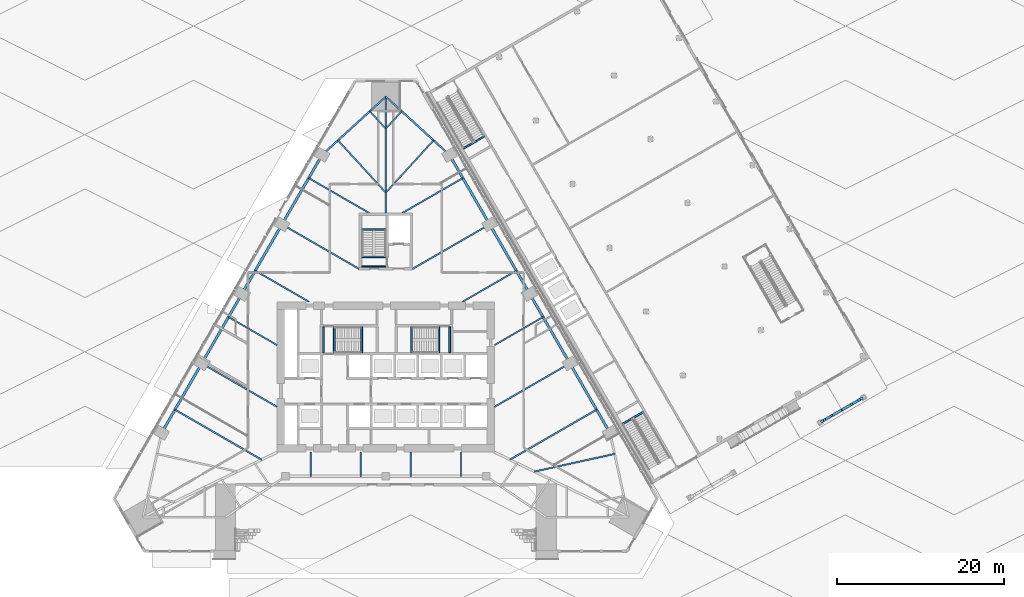
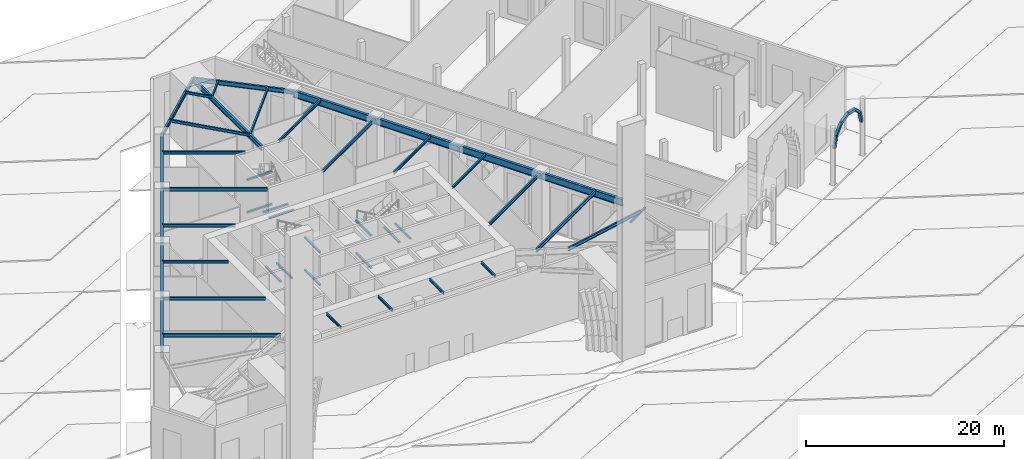
# One storey, part 5 of 34: 42 beams, 6 members.
"""IFC4 building model written with IfcOpenShell, lengths in metres."""

from ifc_helpers import new_model, si_unit, direction, frame, origin, origin_2d, place, context, subcontext, project, spatial, rectangle, i_section, extrude, material, material_profile, profile_set, type_object, element, save


model = new_model("IFC4")

# Units and contexts
model_context = context("Model", 3, precision=1e-05, world=origin(), true_north=direction((0.0, 1.0)))
body_context = subcontext(model_context, "Body", "Model", "MODEL_VIEW")
ifc_project = project(units=[si_unit("LENGTHUNIT", "METRE"), si_unit("AREAUNIT", "SQUARE_METRE"), si_unit("VOLUMEUNIT", "CUBIC_METRE"), si_unit("PLANEANGLEUNIT", "RADIAN"), si_unit("MASSUNIT", "GRAM", prefix="KILO")], contexts=[model_context])

# Site, building, storey
site_placement = place(None, origin())
site = spatial("IfcSite", under=ifc_project, at=site_placement, CompositionType="ELEMENT")
building_placement = place(site_placement, origin())
building = spatial("IfcBuilding", under=site, at=building_placement, Name="Firuza Gate Tower and Library", CompositionType="ELEMENT")
storey_placement = place(building_placement, origin())
storey = spatial("IfcBuildingStorey", under=building, at=storey_placement, Name="L00", CompositionType="ELEMENT", Elevation=0.0)

# Members
ifc_material_1 = material(Name="Concrete C40/50", Category="concrete")
ifc_material_profile_1 = material_profile(ifc_material_1, rectangle(XDim=0.300048828125, YDim=0.300048828125, at=origin_2d()))
ifc_profile_set_1 = profile_set([ifc_material_profile_1], Name="Concrete C40/50")
member_type = type_object("IfcMemberType", Name="LIB ARCADE ARCH 300", PredefinedType="USERDEFINED", material=ifc_profile_set_1)
for number, where, z_axis, x_axis, name in (
    (1, (127.18603515625, 69.680419921875, 4.199951171875), (0.229302579248, 0.132296635942, 0.964322522432), (-0.499741403371, 0.866174653149, 0.0), "Arcade arch 2.1"),
    (2, (127.508056640625, 69.8662109375, 5.55419921875), (0.623626266203, 0.360058543994, 0.693864630169), (-0.500008073096, 0.86602074273, 0.0), "Arcade arch 2.2"),
    (3, (128.3837890625, 70.371826171875, 6.528564453125), (0.842988374049, 0.486774066269, 0.228957659027), (-0.50005739987, 0.865992261418, 0.0), "Arcade arch 2.3"),
    (4, (129.567626953125, 71.055419921875, 6.85009765625), (0.843059707951, 0.486641394629, -0.228977033486), (-0.499923448233, 0.866069596457, 0.0), "Arcade arch 2.4"),
    (5, (130.75146484375, 71.73876953125, 6.528564453125), (0.623626266203, 0.360058543994, -0.693864630169), (-0.500008073096, 0.86602074273, 0.0), "Arcade arch 2.5"),
    (6, (131.627197265625, 72.244384765625, 5.55419921875), (0.229297302186, 0.132467433105, -0.964300329968), (-0.500233848448, 0.865890349217, 0.0), "Arcade arch 2.6"),
):
    element("IfcMember", number, at=place(storey_placement, frame(where, z_axis=z_axis, x_axis=x_axis)), inside=storey, type_object=member_type, Name=name, ObjectType="ARCADE ARCH", PredefinedType="USERDEFINED", context=body_context, shape_type="SweptSolid", body=[
        extrude(rectangle(XDim=0.300048828125, YDim=0.300048828125, at=origin_2d()), origin(), (0.0, 0.0, 1.0), 1.404296875),
    ])

# Beams
ifc_material_2 = material(Name="Concrete C40/50", Category="concrete")
ifc_material_profile_2 = material_profile(ifc_material_2, rectangle(XDim=0.199951171875, YDim=0.199951171875, at=origin_2d()))
ifc_profile_set_2 = profile_set([ifc_material_profile_2], Name="Concrete C40/50")
beam_type_1 = type_object("IfcBeamType", Name="LIB LANDING BEARER 200X200", PredefinedType="BEAM", material=ifc_profile_set_2)
for number, where, z_axis, x_axis, name in (
    (7, (84.259521484375, 102.331298828125, 3.699951171875), (0.866003658127, 0.500037662692, 0.0), (-0.500037662692, 0.866003658127, 0.0), "LIB-ST-A landing bearer L00"),
    (8, (105.854248046875, 70.828125, 3.699951171875), (-0.866060182126, -0.499939757307, 0.0), (0.499939757307, -0.866060182126, 0.0), "LIB-ST-B landing bearer L00"),
):
    element("IfcBeam", number, at=place(storey_placement, frame(where, z_axis=z_axis, x_axis=x_axis)), inside=storey, type_object=beam_type_1, Name=name, PredefinedType="BEAM", context=body_context, shape_type="SweptSolid", body=[
        extrude(rectangle(XDim=0.199951171875, YDim=0.199951171875, at=origin_2d()), origin(), (0.0, 0.0, 1.0), 2.949951171875),
    ])
ifc_material_3 = material(Name="Concrete C35/45", Category="concrete")
ifc_material_profile_3 = material_profile(ifc_material_3, rectangle(XDim=0.199951171875, YDim=0.199951171875, at=origin_2d()))
ifc_profile_set_3 = profile_set([ifc_material_profile_3], Name="Concrete C35/45")
beam_type_2 = type_object("IfcBeamType", Name="Stair landing bearer 200x200", PredefinedType="BEAM", material=ifc_profile_set_3)
for number, where, z_axis, x_axis, name in (
    (9, (72.1201171875, 77.89990234375, 1.699951171875), (0.0, 1.0, 0.0), (-1.0, 0.0, 0.0), "Landing bearer L00 stair 1"),
    (10, (68.840087890625, 77.89990234375, 3.699951171875), (0.0, 1.0, 0.0), (-1.0, 0.0, 0.0), "Landing bearer L00 stair 1"),
    (11, (67.550048828125, 77.89990234375, 3.699951171875), (0.0, 1.0, 0.0), (-1.0, 0.0, 0.0), "Landing bearer L00 stair 1"),
    (12, (72.1201171875, 77.89990234375, 5.699951171875), (0.0, 1.0, 0.0), (-1.0, 0.0, 0.0), "Landing bearer L00 stair 1"),
    (13, (78.080078125, 80.97998046875, 1.699951171875), (0.0, -1.0, 0.0), (1.0, 0.0, 0.0), "Landing bearer L00 stair 2"),
    (14, (81.360107421875, 80.97998046875, 3.699951171875), (0.0, -1.0, 0.0), (1.0, 0.0, 0.0), "Landing bearer L00 stair 2"),
    (15, (82.64990234375, 80.97998046875, 3.699951171875), (0.0, -1.0, 0.0), (1.0, 0.0, 0.0), "Landing bearer L00 stair 2"),
    (16, (78.080078125, 80.97998046875, 5.699951171875), (0.0, -1.0, 0.0), (1.0, 0.0, 0.0), "Landing bearer L00 stair 2"),
):
    element("IfcBeam", number, at=place(storey_placement, frame(where, z_axis=z_axis, x_axis=x_axis)), inside=storey, type_object=beam_type_2, Name=name, PredefinedType="BEAM", context=body_context, shape_type="SweptSolid", body=[
        extrude(rectangle(XDim=0.199951171875, YDim=0.199951171875, at=origin_2d()), origin(), (0.0, 0.0, 1.0), 3.080078125),
    ])
for number, where, z_axis, x_axis, name in (
    (17, (75.0, 92.64990234375, 1.699951171875), (-1.0, 0.0, 0.0), (0.0, -1.0, 0.0), "Landing bearer L00 stair 3"),
    (18, (75.0, 89.3701171875, 3.699951171875), (-1.0, 0.0, 0.0), (0.0, -1.0, 0.0), "Landing bearer L00 stair 3"),
    (19, (75.0, 88.199951171875, 3.699951171875), (-1.0, 0.0, 0.0), (0.0, -1.0, 0.0), "Landing bearer L00 stair 3"),
    (20, (75.0, 92.64990234375, 5.699951171875), (-1.0, 0.0, 0.0), (0.0, -1.0, 0.0), "Landing bearer L00 stair 3"),
):
    element("IfcBeam", number, at=place(storey_placement, frame(where, z_axis=z_axis, x_axis=x_axis)), inside=storey, type_object=beam_type_2, Name=name, PredefinedType="BEAM", context=body_context, shape_type="SweptSolid", body=[
        extrude(rectangle(XDim=0.199951171875, YDim=0.199951171875, at=origin_2d()), origin(), (0.0, 0.0, 1.0), 2.89990234375),
    ])
ifc_material_4 = material(Name="Steel S355", Category="steel")
ifc_material_profile_4 = material_profile(ifc_material_4, i_section(OverallWidth=0.1650390625, OverallDepth=0.31005859375, WebThickness=0.005859375, FlangeThickness=0.009765625, at=origin_2d()))
ifc_profile_set_4 = profile_set([ifc_material_profile_4], Name="Steel S355")
beam_type_3 = type_object("IfcBeamType", Name="W310x39 Floor beam", PredefinedType="JOIST", material=ifc_profile_set_4)
for number, where, z_axis, x_axis, name in (
    (21, (66.0, 63.115478515625, 7.544921875), (0.0, 1.0, 0.0), (-1.0, 0.0, 0.0), "Floor beam L00 s30"),
    (22, (72.0, 63.115478515625, 7.544921875), (0.0, 1.0, 0.0), (-1.0, 0.0, 0.0), "Floor beam L00 s31"),
    (23, (78.0, 63.115478515625, 7.544921875), (0.0, 1.0, 0.0), (-1.0, 0.0, 0.0), "Floor beam L00 s32"),
    (24, (84.0, 63.115478515625, 7.544921875), (0.0, 1.0, 0.0), (-1.0, 0.0, 0.0), "Floor beam L00 s33"),
):
    element("IfcBeam", number, at=place(storey_placement, frame(where, z_axis=z_axis, x_axis=x_axis)), inside=storey, type_object=beam_type_3, Name=name, PredefinedType="JOIST", context=body_context, shape_type="SweptSolid", body=[
        extrude(i_section(OverallWidth=0.1650390625, OverallDepth=0.31005859375, WebThickness=0.005859375, FlangeThickness=0.009765625, at=origin_2d()), origin(), (0.0, 0.0, 1.0), 2.884521484375),
    ])
beam_1_placement = place(storey_placement, frame((93.820556640625, 82.171142578125, 7.544921875), z_axis=(-0.866019234261, -0.500010685776, 0.0), x_axis=(0.500010685776, -0.866019234261, 0.0)))
element("IfcBeam", 25, at=beam_1_placement, inside=storey, type_object=beam_type_3, Name="Floor beam L00 s72", PredefinedType="JOIST", context=body_context, shape_type="SweptSolid", body=[
    extrude(i_section(OverallWidth=0.1650390625, OverallDepth=0.31005859375, WebThickness=0.005859375, FlangeThickness=0.009765625, at=origin_2d()), origin(), (0.0, 0.0, 1.0), 6.720947265625),
])
for number, where, z_axis, x_axis, name in (
    (26, (76.905029296875, 106.79296875, 7.544921875), (-0.674533736892, -0.738244023203, 0.0), (0.738244023203, -0.674533736892, 0.0), "Floor beam L00 s81"),
    (27, (73.094970703125, 106.79296875, 7.544921875), (0.674533736892, -0.738244023203, 0.0), (0.738244023203, 0.674533736892, 0.0), "Floor beam L00 s90"),
):
    element("IfcBeam", number, at=place(storey_placement, frame(where, z_axis=z_axis, x_axis=x_axis)), inside=storey, type_object=beam_type_3, Name=name, PredefinedType="JOIST", context=body_context, shape_type="SweptSolid", body=[
        extrude(i_section(OverallWidth=0.1650390625, OverallDepth=0.31005859375, WebThickness=0.005859375, FlangeThickness=0.009765625, at=origin_2d()), origin(), (0.0, 0.0, 1.0), 2.82421875),
    ])
beam_2_placement = place(storey_placement, frame((56.179443359375, 82.171142578125, 7.544921875), z_axis=(0.866019234261, -0.500010685776, 0.0), x_axis=(0.500010685776, 0.866019234261, 0.0)))
element("IfcBeam", 28, at=beam_2_placement, inside=storey, type_object=beam_type_3, Name="Floor beam L00 s103", PredefinedType="JOIST", context=body_context, shape_type="SweptSolid", body=[
    extrude(i_section(OverallWidth=0.1650390625, OverallDepth=0.31005859375, WebThickness=0.005859375, FlangeThickness=0.009765625, at=origin_2d()), origin(), (0.0, 0.0, 1.0), 6.720947265625),
])
ifc_material_5 = material(Name="Steel S355", Category="steel")
ifc_material_profile_5 = material_profile(ifc_material_5, i_section(OverallWidth=0.1708984375, OverallDepth=0.35498046875, WebThickness=0.007080078125, FlangeThickness=0.01171875, at=origin_2d()))
ifc_profile_set_5 = profile_set([ifc_material_profile_5], Name="Steel S355")
beam_type_4 = type_object("IfcBeamType", Name="W360x51 Floor beam", PredefinedType="JOIST", material=ifc_profile_set_5)
beam_3_placement = place(storey_placement, frame((90.62060546875, 87.713623046875, 7.5224609375), z_axis=(-0.866023556141, -0.500003200199, 0.0), x_axis=(0.500003200199, -0.866023556141, 0.0)))
element("IfcBeam", 29, at=beam_3_placement, inside=storey, type_object=beam_type_4, Name="Floor beam L00 s73", PredefinedType="JOIST", context=body_context, shape_type="SweptSolid", body=[
    extrude(i_section(OverallWidth=0.1708984375, OverallDepth=0.35498046875, WebThickness=0.007080078125, FlangeThickness=0.01171875, at=origin_2d()), origin(), (0.0, 0.0, 1.0), 7.42724609375),
])
beam_4_placement = place(storey_placement, frame((84.220458984375, 98.798828125, 7.5224609375), z_axis=(-0.866019517829, -0.500010194636, 0.0), x_axis=(0.500010194636, -0.866019517829, 0.0)))
element("IfcBeam", 30, at=beam_4_placement, inside=storey, type_object=beam_type_4, Name="Floor beam L00 s75", PredefinedType="JOIST", context=body_context, shape_type="SweptSolid", body=[
    extrude(i_section(OverallWidth=0.1708984375, OverallDepth=0.35498046875, WebThickness=0.007080078125, FlangeThickness=0.01171875, at=origin_2d()), origin(), (0.0, 0.0, 1.0), 8.397216796875),
])
for number, where, z_axis, x_axis, name in (
    (31, (80.71533203125, 103.31103515625, 7.5224609375), (-0.674578139258, -0.7382034503, 0.0), (0.7382034503, -0.674578139258, 0.0), "Floor beam L00 s80"),
    (32, (69.28466796875, 103.31103515625, 7.5224609375), (0.674578139258, -0.7382034503, 0.0), (0.7382034503, 0.674578139258, 0.0), "Floor beam L00 s91"),
):
    element("IfcBeam", number, at=place(storey_placement, frame(where, z_axis=z_axis, x_axis=x_axis)), inside=storey, type_object=beam_type_4, Name=name, PredefinedType="JOIST", context=body_context, shape_type="SweptSolid", body=[
        extrude(i_section(OverallWidth=0.1708984375, OverallDepth=0.35498046875, WebThickness=0.007080078125, FlangeThickness=0.01171875, at=origin_2d()), origin(), (0.0, 0.0, 1.0), 8.472412109375),
    ])
beam_5_placement = place(storey_placement, frame((65.779541015625, 98.798828125, 7.5224609375), z_axis=(0.866019517829, -0.500010194636, 0.0), x_axis=(0.500010194636, 0.866019517829, 0.0)))
element("IfcBeam", 33, at=beam_5_placement, inside=storey, type_object=beam_type_4, Name="Floor beam L00 s100", PredefinedType="JOIST", context=body_context, shape_type="SweptSolid", body=[
    extrude(i_section(OverallWidth=0.1708984375, OverallDepth=0.35498046875, WebThickness=0.007080078125, FlangeThickness=0.01171875, at=origin_2d()), origin(), (0.0, 0.0, 1.0), 8.397216796875),
])
beam_6_placement = place(storey_placement, frame((59.37939453125, 87.713623046875, 7.5224609375), z_axis=(0.866023556141, -0.500003200199, 0.0), x_axis=(0.500003200199, 0.866023556141, 0.0)))
element("IfcBeam", 34, at=beam_6_placement, inside=storey, type_object=beam_type_4, Name="Floor beam L00 s102", PredefinedType="JOIST", context=body_context, shape_type="SweptSolid", body=[
    extrude(i_section(OverallWidth=0.1708984375, OverallDepth=0.35498046875, WebThickness=0.007080078125, FlangeThickness=0.01171875, at=origin_2d()), origin(), (0.0, 0.0, 1.0), 7.42724609375),
])
ifc_material_6 = material(Name="Steel S355", Category="steel")
ifc_material_profile_6 = material_profile(ifc_material_6, i_section(OverallWidth=0.177978515625, OverallDepth=0.406982421875, WebThickness=0.0078125, FlangeThickness=0.0126953125, at=origin_2d()))
ifc_profile_set_6 = profile_set([ifc_material_profile_6], Name="Steel S355")
beam_type_5 = type_object("IfcBeamType", Name="W410x60 Floor beam", PredefinedType="JOIST", material=ifc_profile_set_6)
beam_7_placement = place(storey_placement, frame((102.375732421875, 65.794189453125, 7.49658203125), z_axis=(-0.97658964753, -0.215110809441, 0.0), x_axis=(0.215110809441, -0.97658964753, 0.0)))
element("IfcBeam", 35, at=beam_7_placement, inside=storey, type_object=beam_type_5, Name="Floor beam L00 s61", PredefinedType="JOIST", context=body_context, shape_type="SweptSolid", body=[
    extrude(i_section(OverallWidth=0.177978515625, OverallDepth=0.406982421875, WebThickness=0.0078125, FlangeThickness=0.0126953125, at=origin_2d()), origin(), (0.0, 0.0, 1.0), 9.818359375),
])
beam_8_placement = place(storey_placement, frame((97.0205078125, 76.62841796875, 7.49658203125), z_axis=(-0.866024771944, -0.500001094379, 0.0), x_axis=(0.500001094379, -0.866024771944, 0.0)))
element("IfcBeam", 36, at=beam_8_placement, inside=storey, type_object=beam_type_5, Name="Floor beam L00 s71", PredefinedType="JOIST", context=body_context, shape_type="SweptSolid", body=[
    extrude(i_section(OverallWidth=0.177978515625, OverallDepth=0.406982421875, WebThickness=0.0078125, FlangeThickness=0.0126953125, at=origin_2d()), origin(), (0.0, 0.0, 1.0), 10.416015625),
])
for number, where, z_axis, x_axis, name in (
    (37, (87.420654296875, 93.256103515625, 7.49658203125), (-0.866029027547, -0.499993723407, 0.0), (0.499993723407, -0.866029027547, 0.0), "Floor beam L00 s74"),
    (38, (62.579345703125, 93.256103515625, 7.49658203125), (0.866029027547, -0.499993723407, 0.0), (0.499993723407, 0.866029027547, 0.0), "Floor beam L00 s101"),
):
    element("IfcBeam", number, at=place(storey_placement, frame(where, z_axis=z_axis, x_axis=x_axis)), inside=storey, type_object=beam_type_5, Name=name, PredefinedType="JOIST", context=body_context, shape_type="SweptSolid", body=[
        extrude(i_section(OverallWidth=0.177978515625, OverallDepth=0.406982421875, WebThickness=0.0078125, FlangeThickness=0.0126953125, at=origin_2d()), origin(), (0.0, 0.0, 1.0), 10.647216796875),
    ])
beam_9_placement = place(storey_placement, frame((52.9794921875, 76.62841796875, 7.49658203125), z_axis=(0.866024771944, -0.500001094379, 0.0), x_axis=(0.500001094379, 0.866024771944, 0.0)))
element("IfcBeam", 39, at=beam_9_placement, inside=storey, type_object=beam_type_5, Name="Floor beam L00 s104", PredefinedType="JOIST", context=body_context, shape_type="SweptSolid", body=[
    extrude(i_section(OverallWidth=0.177978515625, OverallDepth=0.406982421875, WebThickness=0.0078125, FlangeThickness=0.0126953125, at=origin_2d()), origin(), (0.0, 0.0, 1.0), 10.416015625),
])
ifc_material_7 = material(Name="Steel S355", Category="steel")
ifc_material_profile_7 = material_profile(ifc_material_7, i_section(OverallWidth=0.18994140625, OverallDepth=0.45703125, WebThickness=0.009033203125, FlangeThickness=0.014404296875, at=origin_2d()))
ifc_profile_set_7 = profile_set([ifc_material_profile_7], Name="Steel S355")
beam_type_6 = type_object("IfcBeamType", Name="W460x74 Floor beam", PredefinedType="JOIST", material=ifc_profile_set_7)
for number, where, z_axis, x_axis, name in (
    (40, (100.220458984375, 71.0859375, 7.471435546875), (-0.866020154196, -0.500009092443, 0.0), (0.500009092443, -0.866020154196, 0.0), "Floor beam L00 s70"),
    (41, (49.779541015625, 71.0859375, 7.471435546875), (0.866020154196, -0.500009092443, 0.0), (0.500009092443, 0.866020154196, 0.0), "Floor beam L00 s105"),
):
    element("IfcBeam", number, at=place(storey_placement, frame(where, z_axis=z_axis, x_axis=x_axis)), inside=storey, type_object=beam_type_6, Name=name, PredefinedType="JOIST", context=body_context, shape_type="SweptSolid", body=[
        extrude(i_section(OverallWidth=0.18994140625, OverallDepth=0.45703125, WebThickness=0.009033203125, FlangeThickness=0.014404296875, at=origin_2d()), origin(), (0.0, 0.0, 1.0), 11.968505859375),
    ])
ifc_material_8 = material(Name="Steel S355", Category="steel")
ifc_material_profile_8 = material_profile(ifc_material_8, i_section(OverallWidth=0.212890625, OverallDepth=0.5390625, WebThickness=0.01171875, FlangeThickness=0.018798828125, at=origin_2d()))
ifc_profile_set_8 = profile_set([ifc_material_profile_8], Name="Steel S355")
beam_type_7 = type_object("IfcBeamType", Name="W530x109 Edge beam", PredefinedType="SPANDREL", material=ifc_profile_set_8)
for number, where, z_axis, x_axis, name in (
    (42, (82.62060546875, 101.570068359375, 7.430419921875), (-0.738199730284, 0.674582210118, 0.0), (-0.674582210118, -0.738199730284, 0.0), "Edge beam L00 e80"),
    (43, (75.0, 108.533935546875, 7.430419921875), (-0.738199730284, -0.674582210118, 0.0), (0.674582210118, -0.738199730284, 0.0), "Edge beam L00 e90"),
):
    element("IfcBeam", number, at=place(storey_placement, frame(where, z_axis=z_axis, x_axis=x_axis)), inside=storey, type_object=beam_type_7, Name=name, PredefinedType="SPANDREL", context=body_context, shape_type="SweptSolid", body=[
        extrude(i_section(OverallWidth=0.212890625, OverallDepth=0.5390625, WebThickness=0.01171875, FlangeThickness=0.018798828125, at=origin_2d()), origin(), (0.0, 0.0, 1.0), 10.3232421875),
    ])
ifc_material_9 = material(Name="Steel S355", Category="steel")
ifc_material_profile_9 = material_profile(ifc_material_9, i_section(OverallWidth=0.22802734375, OverallDepth=0.60302734375, WebThickness=0.010498046875, FlangeThickness=0.014892578125, at=origin_2d()))
ifc_profile_set_9 = profile_set([ifc_material_profile_9], Name="Steel S355")
beam_type_8 = type_object("IfcBeamType", Name="W610x101 Girder", PredefinedType="BEAM", material=ifc_profile_set_9)
beam_10_placement = place(storey_placement, frame((75.0, 108.533935546875, 7.3984375), z_axis=(0.0, -1.0, 0.0), x_axis=(1.0, 0.0, 0.0)))
element("IfcBeam", 44, at=beam_10_placement, inside=storey, type_object=beam_type_8, Name="Girder L00 gN", PredefinedType="BEAM", context=body_context, shape_type="SweptSolid", body=[
    extrude(i_section(OverallWidth=0.22802734375, OverallDepth=0.60302734375, WebThickness=0.010498046875, FlangeThickness=0.014892578125, at=origin_2d()), origin(), (0.0, 0.0, 1.0), 13.933837890625),
])
ifc_material_10 = material(Name="Steel S355", Category="steel")
ifc_material_profile_10 = material_profile(ifc_material_10, i_section(OverallWidth=0.2919921875, OverallDepth=0.8349609375, WebThickness=0.013916015625, FlangeThickness=0.018798828125, at=origin_2d()))
ifc_profile_set_10 = profile_set([ifc_material_profile_10], Name="Steel S355")
beam_type_9 = type_object("IfcBeamType", Name="W840x176 Edge beam", PredefinedType="SPANDREL", material=ifc_profile_set_10)
for number, where, z_axis, x_axis, name in (
    (45, (101.820556640625, 68.314697265625, 7.282470703125), (-0.500003864429, 0.866023172644, 0.0), (-0.866023172644, -0.500003864429, 0.0), "Edge beam L00 e70"),
    (46, (92.220458984375, 84.9423828125, 7.282470703125), (-0.499994327668, 0.866028678682, 0.0), (-0.866028678682, -0.499994327668, 0.0), "Edge beam L00 e72"),
    (47, (67.37939453125, 101.570068359375, 7.282470703125), (-0.499994327668, -0.866028678682, 0.0), (0.866028678682, -0.499994327668, 0.0), "Edge beam L00 e100"),
    (48, (57.779541015625, 84.9423828125, 7.282470703125), (-0.500003864429, -0.866023172644, 0.0), (0.866023172644, -0.500003864429, 0.0), "Edge beam L00 e102"),
):
    element("IfcBeam", number, at=place(storey_placement, frame(where, z_axis=z_axis, x_axis=x_axis)), inside=storey, type_object=beam_type_9, Name=name, PredefinedType="SPANDREL", context=body_context, shape_type="SweptSolid", body=[
        extrude(i_section(OverallWidth=0.2919921875, OverallDepth=0.8349609375, WebThickness=0.013916015625, FlangeThickness=0.018798828125, at=origin_2d()), origin(), (0.0, 0.0, 1.0), 19.199951171875),
    ])

save(model, "model.ifc")
